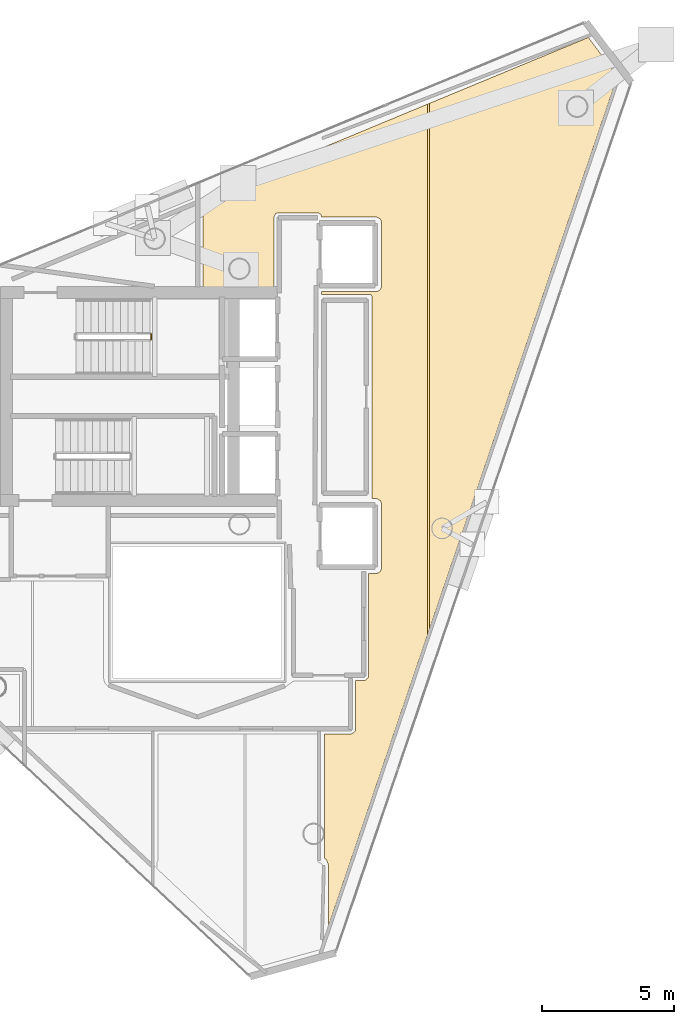
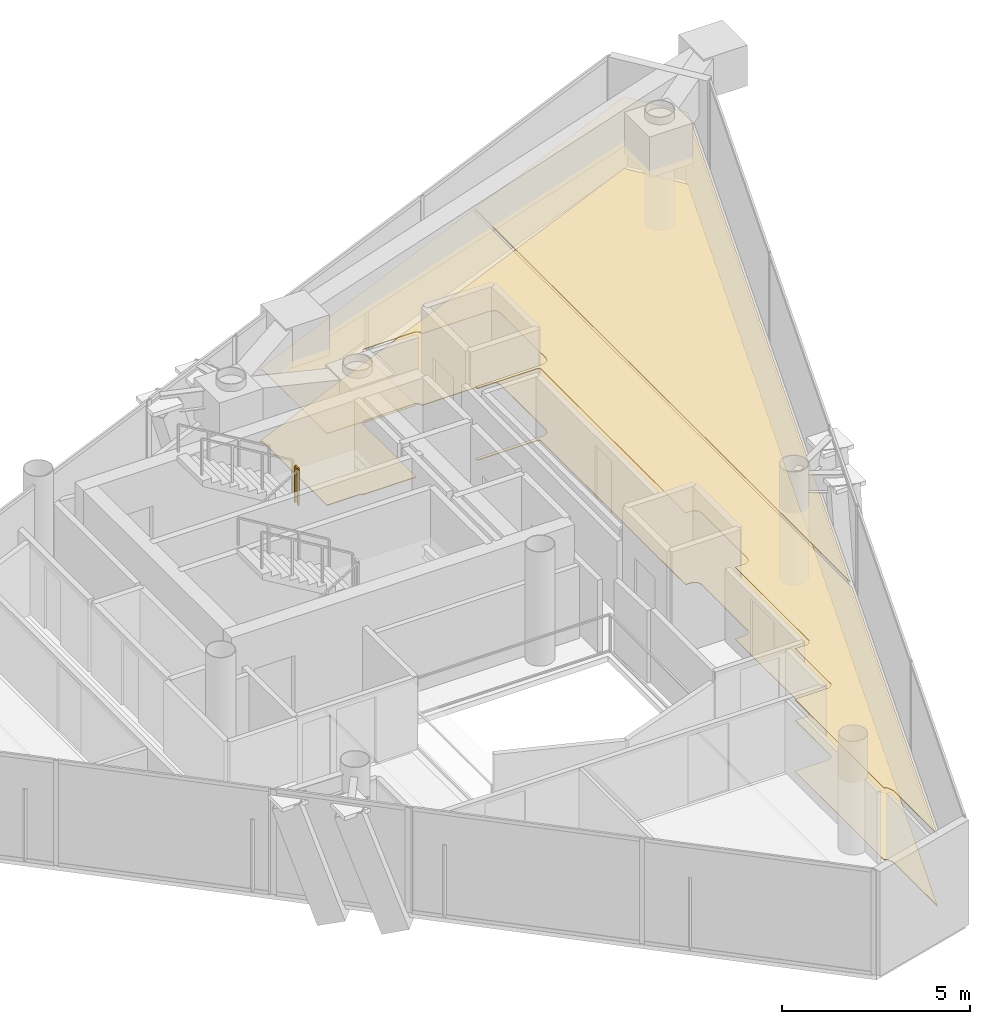
# One storey, part 18 of 18: 3 coverings, 1 railing.
"""IFC4 building model written with IfcOpenShell, lengths in metres."""

from ifc_helpers import new_model, si_unit, direction, frame, origin, origin_2d, place, context, subcontext, project, spatial, polyline, rectangle, outline, extrude, material, layer, layer_set, type_object, element, save


model = new_model("IFC4")

# Units and contexts
model_context = context("Model", 3, precision=1e-05, world=origin(), true_north=direction((0.0, 1.0)))
body_context = subcontext(model_context, "Body", "Model", "MODEL_VIEW")
ifc_project = project(units=[si_unit("LENGTHUNIT", "METRE"), si_unit("AREAUNIT", "SQUARE_METRE"), si_unit("VOLUMEUNIT", "CUBIC_METRE"), si_unit("PLANEANGLEUNIT", "RADIAN"), si_unit("MASSUNIT", "GRAM", prefix="KILO")], contexts=[model_context])

# Site, building, storey
site_placement = place(None, origin())
site = spatial("IfcSite", under=ifc_project, at=site_placement, CompositionType="ELEMENT")
building_placement = place(site_placement, origin())
building = spatial("IfcBuilding", under=site, at=building_placement, Name="Qianvela Tower", CompositionType="ELEMENT")
storey_placement = place(building_placement, frame((0.0, 0.0, 348.10009765625)))
storey = spatial("IfcBuildingStorey", under=building, at=storey_placement, Name="L90", CompositionType="ELEMENT", Elevation=348.10009765625)

# Coverings
ifc_material_1 = material(Name="Perforated Mineral Acoustic Ceiling Tile")
ifc_layer_1 = layer(ifc_material_1, 0.02490234375)
ifc_layer_set_1 = layer_set([ifc_layer_1], Name="Perforated Mineral Acoustic Ceiling Tile")
covering_type_1 = type_object("IfcCoveringType", Name="COV-CEIL-ACOUSTIC-25", PredefinedType="CEILING", material=ifc_layer_set_1)
covering_1_placement = place(storey_placement, frame((0.0, 0.0, 2.324951171875)))
element("IfcCovering", 1, at=covering_1_placement, inside=storey, type_object=covering_type_1, Name="L90 Acoustic Ceiling Bay 1 Media Practice Cinema L90-03", PredefinedType="CEILING", context=body_context, shape_type="SweptSolid", body=[
    extrude(outline(polyline([(45.537109375, 39.80126953125), (45.537109375, 19.62158203125), (41.77978515625, 8.575439453125), (41.77978515625, 10.898193359375), (41.779296875, 10.906005859375), (41.7783203125, 10.913818359375), (41.7763671875, 10.92138671875), (41.773681640625, 10.9287109375), (41.70703125, 11.08935546875), (41.70361328125, 11.0966796875), (41.699462890625, 11.103515625), (41.694580078125, 11.110107421875), (41.68896484375, 11.1162109375), (41.682861328125, 11.121337890625), (41.676025390625, 11.126220703125), (41.6689453125, 11.130126953125), (41.6220703125, 11.15380859375), (41.6220703125, 15.889892578125), (42.64990234375, 15.889892578125), (42.6572265625, 15.890380859375), (42.66455078125, 15.891357421875), (42.671630859375, 15.89306640625), (42.678466796875, 15.895263671875), (42.685302734375, 15.898193359375), (42.691650390625, 15.901611328125), (42.69775390625, 15.90576171875), (42.774169921875, 15.96240234375), (42.780517578125, 15.9677734375), (42.786376953125, 15.9736328125), (42.79150390625, 15.980224609375), (42.7958984375, 15.987060546875), (42.7998046875, 15.994384765625), (42.802734375, 16.002197265625), (42.8046875, 16.01025390625), (42.80615234375, 16.0185546875), (42.806640625, 16.026611328125), (42.807373046875, 17.920166015625), (43.157958984375, 17.92041015625), (43.165771484375, 17.9208984375), (43.173583984375, 17.921875), (43.18115234375, 17.923828125), (43.1884765625, 17.926513671875), (43.195556640625, 17.9296875), (43.202392578125, 17.933837890625), (43.20849609375, 17.938720703125), (43.21435546875, 17.94384765625), (43.2861328125, 18.015625), (43.29150390625, 18.021484375), (43.296142578125, 18.027587890625), (43.30029296875, 18.034423828125), (43.303466796875, 18.04150390625), (43.30615234375, 18.048828125), (43.30810546875, 18.056640625), (43.30908203125, 18.064208984375), (43.3095703125, 18.072265625), (43.309326171875, 21.981201171875), (43.621826171875, 21.986083984375), (43.62939453125, 21.986572265625), (43.63720703125, 21.98779296875), (43.64453125, 21.98974609375), (43.651611328125, 21.9921875), (43.658447265625, 21.99560546875), (43.6650390625, 21.99951171875), (43.732666015625, 22.044677734375), (43.739013671875, 22.04931640625), (43.744873046875, 22.0546875), (43.75, 22.060302734375), (43.754638671875, 22.066650390625), (43.7587890625, 22.073486328125), (43.76220703125, 22.08056640625), (43.793212890625, 22.15576171875), (43.7958984375, 22.1630859375), (43.7978515625, 22.170654296875), (43.798828125, 22.178466796875), (43.79931640625, 22.186279296875), (43.800048828125, 24.60009765625), (43.7998046875, 24.606689453125), (43.798828125, 24.61376953125), (43.79736328125, 24.620361328125), (43.79541015625, 24.626953125), (43.763427734375, 24.7158203125), (43.76025390625, 24.723388671875), (43.75634765625, 24.73095703125), (43.75146484375, 24.73779296875), (43.74609375, 24.744140625), (43.73974609375, 24.75), (43.733154296875, 24.7548828125), (43.725830078125, 24.759521484375), (43.63134765625, 24.809814453125), (43.624267578125, 24.813232421875), (43.616943359375, 24.81591796875), (43.609375, 24.81787109375), (43.6015625, 24.81884765625), (43.59375, 24.8193359375), (43.423828125, 24.8193359375), (43.423828125, 24.8193359375), (43.426513671875, 24.826904296875), (43.428466796875, 24.83447265625), (43.4296875, 24.84228515625), (43.429931640625, 24.85009765625), (43.429931640625, 32.5), (43.4296875, 32.5078125), (43.428466796875, 32.515625), (43.426513671875, 32.523193359375), (43.423828125, 32.530517578125), (43.420654296875, 32.53759765625), (43.41650390625, 32.54443359375), (43.411865234375, 32.55078125), (43.406494140625, 32.556640625), (43.40087890625, 32.561767578125), (43.394287109375, 32.56640625), (43.3876953125, 32.570556640625), (43.380615234375, 32.573974609375), (43.373291015625, 32.57666015625), (43.365478515625, 32.57861328125), (43.35791015625, 32.57958984375), (43.35009765625, 32.580078125), (41.52001953125, 32.580078125), (41.52001953125, 32.679931640625), (43.580078125, 32.679931640625), (43.587158203125, 32.680419921875), (43.593994140625, 32.68115234375), (43.60107421875, 32.682861328125), (43.607666015625, 32.684814453125), (43.6142578125, 32.687744140625), (43.722412109375, 32.739013671875), (43.729248046875, 32.74267578125), (43.73583984375, 32.746826171875), (43.741943359375, 32.751953125), (43.74755859375, 32.757568359375), (43.75244140625, 32.763427734375), (43.7568359375, 32.77001953125), (43.760498046875, 32.777099609375), (43.763427734375, 32.7841796875), (43.79541015625, 32.873046875), (43.7978515625, 32.8818359375), (43.799560546875, 32.890869140625), (43.800048828125, 32.89990234375), (43.800048828125, 35.300048828125), (43.799560546875, 35.30908203125), (43.7978515625, 35.318115234375), (43.79541015625, 35.326904296875), (43.763427734375, 35.415771484375), (43.7607421875, 35.422607421875), (43.75732421875, 35.42919921875), (43.75341796875, 35.435302734375), (43.748779296875, 35.441162109375), (43.74365234375, 35.4462890625), (43.73828125, 35.451416015625), (43.732421875, 35.45556640625), (43.725830078125, 35.45947265625), (43.63134765625, 35.510009765625), (43.624267578125, 35.51318359375), (43.616943359375, 35.515869140625), (43.609375, 35.517822265625), (43.6015625, 35.518798828125), (43.59375, 35.519287109375), (41.515625, 35.52001953125), (41.513916015625, 35.554931640625), (41.512939453125, 35.562744140625), (41.511474609375, 35.5703125), (41.509033203125, 35.577880859375), (41.506103515625, 35.585205078125), (41.50244140625, 35.591796875), (41.498046875, 35.598388671875), (41.4931640625, 35.6044921875), (41.487548828125, 35.60986328125), (41.481689453125, 35.614990234375), (41.41552734375, 35.663818359375), (41.409423828125, 35.66796875), (41.40283203125, 35.67138671875), (41.39599609375, 35.674560546875), (41.38916015625, 35.6767578125), (41.3818359375, 35.678466796875), (41.37451171875, 35.67919921875), (41.3671875, 35.6796875), (39.8349609375, 35.66650390625), (39.8271484375, 35.666015625), (39.8193359375, 35.664794921875), (39.81201171875, 35.662841796875), (39.804443359375, 35.660400390625), (39.797607421875, 35.656982421875), (39.791015625, 35.65283203125), (39.78466796875, 35.648193359375), (39.77880859375, 35.64306640625), (39.773681640625, 35.63720703125), (39.76904296875, 35.630859375), (39.764892578125, 35.624267578125), (39.7294921875, 35.5576171875), (39.72607421875, 35.550537109375), (39.723388671875, 35.543212890625), (39.721435546875, 35.53564453125), (39.720458984375, 35.52783203125), (39.719970703125, 35.52001953125), (39.719970703125, 32.719970703125), (38.125, 32.719970703125), (38.03369140625, 32.762451171875), (38.025634765625, 32.765625), (38.017333984375, 32.76806640625), (38.0087890625, 32.76953125), (38.0, 32.77001953125), (37.010009765625, 32.77001953125), (37.010009765625, 36.127685546875), (37.009765625, 36.135009765625), (37.0087890625, 36.14208984375), (37.007080078125, 36.1494140625), (37.004638671875, 36.15625), (37.001708984375, 36.162841796875), (36.998291015625, 36.169189453125), (36.994140625, 36.17529296875), (36.947509765625, 36.238525390625), (45.537109375, 39.80126953125)])), origin(), (0.0, 0.0, 1.0), 0.02490234375),
])
covering_2_placement = place(storey_placement, frame((0.0, 0.0, 2.324951171875)))
element("IfcCovering", 2, at=covering_2_placement, inside=storey, type_object=covering_type_1, Name="L90 Acoustic Ceiling Bay 2 Media Practice Cinema L90-03", PredefinedType="CEILING", context=body_context, shape_type="SweptSolid", body=[
    extrude(outline(polyline([(51.652587890625, 42.337646484375), (52.7607421875, 40.859130859375), (45.6171875, 19.85693359375), (45.6171875, 39.83447265625), (51.652587890625, 42.337646484375)])), origin(), (0.0, 0.0, 1.0), 0.02490234375),
])
ifc_material_2 = material(Name="Engineered Acoustic Oak Timber Flooring", Category="wood")
ifc_layer_2 = layer(ifc_material_2, 0.02001953125)
ifc_layer_set_2 = layer_set([ifc_layer_2], Name="Engineered Acoustic Oak Timber Flooring")
covering_type_2 = type_object("IfcCoveringType", Name="COV-FLOOR-OAK-20", PredefinedType="FLOORING", material=ifc_layer_set_2)
covering_3_placement = place(storey_placement, origin())
element("IfcCovering", 3, at=covering_3_placement, inside=storey, type_object=covering_type_2, Name="L90 Finish Flooring Media Practice Cinema L90-03", PredefinedType="FLOORING", context=body_context, shape_type="SweptSolid", body=[
    extrude(outline(polyline([(36.947509765625, 36.238525390625), (51.652587890625, 42.337646484375), (52.7607421875, 40.859130859375), (41.77978515625, 8.575439453125), (41.77978515625, 10.898193359375), (41.779296875, 10.906005859375), (41.7783203125, 10.913818359375), (41.7763671875, 10.92138671875), (41.773681640625, 10.9287109375), (41.70703125, 11.08935546875), (41.70361328125, 11.0966796875), (41.699462890625, 11.103515625), (41.694580078125, 11.110107421875), (41.68896484375, 11.1162109375), (41.682861328125, 11.121337890625), (41.676025390625, 11.126220703125), (41.6689453125, 11.130126953125), (41.6220703125, 11.15380859375), (41.6220703125, 15.889892578125), (42.64990234375, 15.889892578125), (42.6572265625, 15.890380859375), (42.66455078125, 15.891357421875), (42.671630859375, 15.89306640625), (42.678466796875, 15.895263671875), (42.685302734375, 15.898193359375), (42.691650390625, 15.901611328125), (42.69775390625, 15.90576171875), (42.774169921875, 15.96240234375), (42.780517578125, 15.9677734375), (42.786376953125, 15.9736328125), (42.79150390625, 15.980224609375), (42.7958984375, 15.987060546875), (42.7998046875, 15.994384765625), (42.802734375, 16.002197265625), (42.8046875, 16.01025390625), (42.80615234375, 16.0185546875), (42.806640625, 16.026611328125), (42.807373046875, 17.920166015625), (43.157958984375, 17.92041015625), (43.165771484375, 17.9208984375), (43.173583984375, 17.921875), (43.18115234375, 17.923828125), (43.1884765625, 17.926513671875), (43.195556640625, 17.9296875), (43.202392578125, 17.933837890625), (43.20849609375, 17.938720703125), (43.21435546875, 17.94384765625), (43.2861328125, 18.015625), (43.29150390625, 18.021484375), (43.296142578125, 18.027587890625), (43.30029296875, 18.034423828125), (43.303466796875, 18.04150390625), (43.30615234375, 18.048828125), (43.30810546875, 18.056640625), (43.30908203125, 18.064208984375), (43.3095703125, 18.072265625), (43.309326171875, 21.981201171875), (43.621826171875, 21.986083984375), (43.62939453125, 21.986572265625), (43.63720703125, 21.98779296875), (43.64453125, 21.98974609375), (43.651611328125, 21.9921875), (43.658447265625, 21.99560546875), (43.6650390625, 21.99951171875), (43.732666015625, 22.044677734375), (43.739013671875, 22.04931640625), (43.744873046875, 22.0546875), (43.75, 22.060302734375), (43.754638671875, 22.066650390625), (43.7587890625, 22.073486328125), (43.76220703125, 22.08056640625), (43.793212890625, 22.15576171875), (43.7958984375, 22.1630859375), (43.7978515625, 22.170654296875), (43.798828125, 22.178466796875), (43.79931640625, 22.186279296875), (43.800048828125, 24.60009765625), (43.7998046875, 24.606689453125), (43.798828125, 24.61376953125), (43.79736328125, 24.620361328125), (43.79541015625, 24.626953125), (43.763427734375, 24.7158203125), (43.76025390625, 24.723388671875), (43.75634765625, 24.73095703125), (43.75146484375, 24.73779296875), (43.74609375, 24.744140625), (43.73974609375, 24.75), (43.733154296875, 24.7548828125), (43.725830078125, 24.759521484375), (43.63134765625, 24.809814453125), (43.624267578125, 24.813232421875), (43.616943359375, 24.81591796875), (43.609375, 24.81787109375), (43.6015625, 24.81884765625), (43.59375, 24.8193359375), (43.423828125, 24.8193359375), (43.423828125, 24.8193359375), (43.426513671875, 24.826904296875), (43.428466796875, 24.83447265625), (43.4296875, 24.84228515625), (43.429931640625, 24.85009765625), (43.429931640625, 32.5), (43.4296875, 32.5078125), (43.428466796875, 32.515625), (43.426513671875, 32.523193359375), (43.423828125, 32.530517578125), (43.420654296875, 32.53759765625), (43.41650390625, 32.54443359375), (43.411865234375, 32.55078125), (43.406494140625, 32.556640625), (43.40087890625, 32.561767578125), (43.394287109375, 32.56640625), (43.3876953125, 32.570556640625), (43.380615234375, 32.573974609375), (43.373291015625, 32.57666015625), (43.365478515625, 32.57861328125), (43.35791015625, 32.57958984375), (43.35009765625, 32.580078125), (41.52001953125, 32.580078125), (41.52001953125, 32.679931640625), (43.580078125, 32.679931640625), (43.587158203125, 32.680419921875), (43.593994140625, 32.68115234375), (43.60107421875, 32.682861328125), (43.607666015625, 32.684814453125), (43.6142578125, 32.687744140625), (43.722412109375, 32.739013671875), (43.729248046875, 32.74267578125), (43.73583984375, 32.746826171875), (43.741943359375, 32.751953125), (43.74755859375, 32.757568359375), (43.75244140625, 32.763427734375), (43.7568359375, 32.77001953125), (43.760498046875, 32.777099609375), (43.763427734375, 32.7841796875), (43.79541015625, 32.873046875), (43.7978515625, 32.8818359375), (43.799560546875, 32.890869140625), (43.800048828125, 32.89990234375), (43.800048828125, 35.300048828125), (43.799560546875, 35.30908203125), (43.7978515625, 35.318115234375), (43.79541015625, 35.326904296875), (43.763427734375, 35.415771484375), (43.7607421875, 35.422607421875), (43.75732421875, 35.42919921875), (43.75341796875, 35.435302734375), (43.748779296875, 35.441162109375), (43.74365234375, 35.4462890625), (43.73828125, 35.451416015625), (43.732421875, 35.45556640625), (43.725830078125, 35.45947265625), (43.63134765625, 35.510009765625), (43.624267578125, 35.51318359375), (43.616943359375, 35.515869140625), (43.609375, 35.517822265625), (43.6015625, 35.518798828125), (43.59375, 35.519287109375), (41.515625, 35.52001953125), (41.513916015625, 35.554931640625), (41.512939453125, 35.562744140625), (41.511474609375, 35.5703125), (41.509033203125, 35.577880859375), (41.506103515625, 35.585205078125), (41.50244140625, 35.591796875), (41.498046875, 35.598388671875), (41.4931640625, 35.6044921875), (41.487548828125, 35.60986328125), (41.481689453125, 35.614990234375), (41.41552734375, 35.663818359375), (41.409423828125, 35.66796875), (41.40283203125, 35.67138671875), (41.39599609375, 35.674560546875), (41.38916015625, 35.6767578125), (41.3818359375, 35.678466796875), (41.37451171875, 35.67919921875), (41.3671875, 35.6796875), (39.8349609375, 35.66650390625), (39.8271484375, 35.666015625), (39.8193359375, 35.664794921875), (39.81201171875, 35.662841796875), (39.804443359375, 35.660400390625), (39.797607421875, 35.656982421875), (39.791015625, 35.65283203125), (39.78466796875, 35.648193359375), (39.77880859375, 35.64306640625), (39.773681640625, 35.63720703125), (39.76904296875, 35.630859375), (39.764892578125, 35.624267578125), (39.7294921875, 35.5576171875), (39.72607421875, 35.550537109375), (39.723388671875, 35.543212890625), (39.721435546875, 35.53564453125), (39.720458984375, 35.52783203125), (39.719970703125, 35.52001953125), (39.719970703125, 32.719970703125), (38.125, 32.719970703125), (38.03369140625, 32.762451171875), (38.025634765625, 32.765625), (38.017333984375, 32.76806640625), (38.0087890625, 32.76953125), (38.0, 32.77001953125), (37.010009765625, 32.77001953125), (37.010009765625, 36.127685546875), (37.009765625, 36.135009765625), (37.0087890625, 36.14208984375), (37.007080078125, 36.1494140625), (37.004638671875, 36.15625), (37.001708984375, 36.162841796875), (36.998291015625, 36.169189453125), (36.994140625, 36.17529296875), (36.947509765625, 36.238525390625)])), origin(), (0.0, 0.0, 1.0), 0.02001953125),
])

# Railing
ifc_material_3 = material(Name="Painted Tubular Steel Q355B", Category="steel")
railing_type = type_object("IfcRailingType", Name="RL-STAIR-GUARD-1200", PredefinedType="GUARDRAIL", material=ifc_material_3)
railing_placement = place(storey_placement, frame((35.050048828125, 30.889892578125, 1.849853515625)))
element("IfcRailing", 4, at=railing_placement, inside=storey, type_object=railing_type, Name="L90 ST-1 stair guard 2", PredefinedType="GUARDRAIL", context=body_context, shape_type="SweptSolid", body=[
    extrude(rectangle(XDim=0.050048828125, YDim=0.0400390625, at=origin_2d()), frame((0.0, 0.0, 1.179931640625), z_axis=(0.0, 1.0, 0.0), x_axis=(-1.0, 0.0, 0.0)), (0.0, 0.0, 1.0), 0.16015625),
    extrude(rectangle(XDim=0.050048828125, YDim=0.050048828125, at=origin_2d()), origin(), (0.0, 0.0, 1.0), 1.159912109375),
    extrude(rectangle(XDim=0.050048828125, YDim=0.050048828125, at=origin_2d()), frame((0.0, 0.16015625, 0.0)), (0.0, 0.0, 1.0), 1.159912109375),
])

save(model, "model.ifc")
